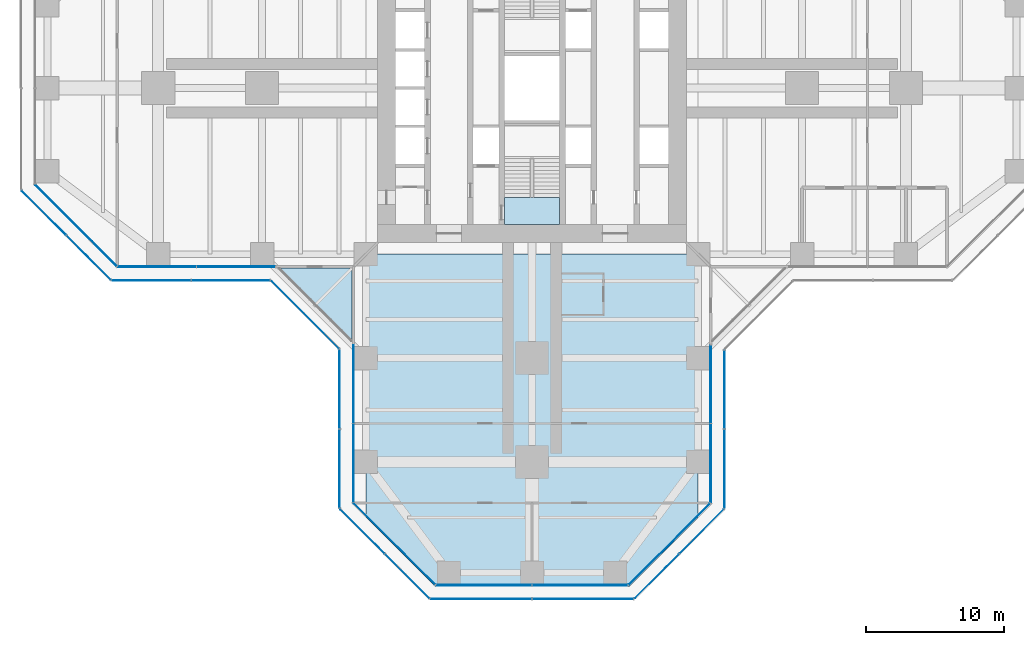
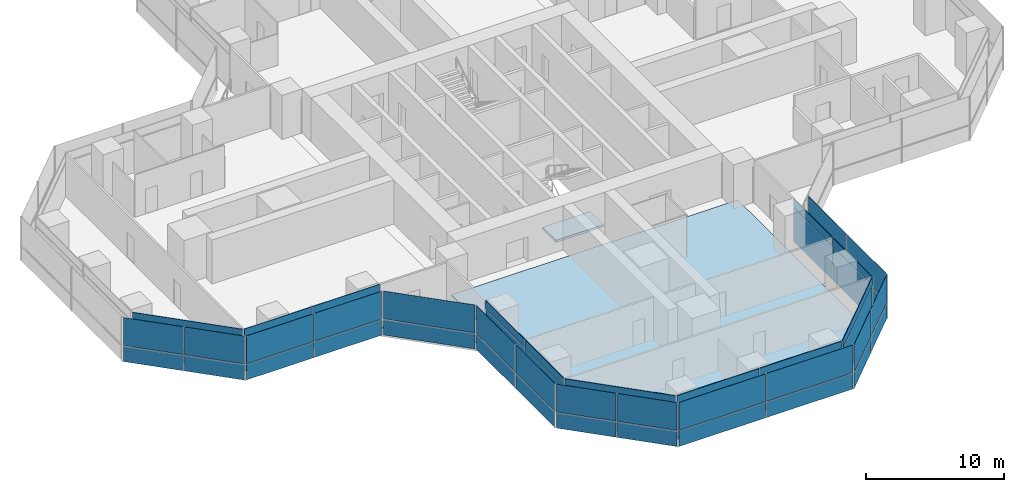
# One storey, part 14 of 22: 52 plates, 3 slabs, 16 elements without a shape of their own.
"""IFC4 building model written with IfcOpenShell, lengths in metres."""

from ifc_helpers import new_model, si_unit, direction, frame, origin, origin_2d, place, context, subcontext, project, spatial, polyline, rectangle, outline, extrude, material, layer, layer_set, type_object, element, aggregate, save


model = new_model("IFC4")

# Units and contexts
model_context = context("Model", 3, precision=1e-05, world=origin(), true_north=direction((0.0, 1.0)))
body_context = subcontext(model_context, "Body", "Model", "MODEL_VIEW")
ifc_project = project(units=[si_unit("LENGTHUNIT", "METRE"), si_unit("AREAUNIT", "SQUARE_METRE"), si_unit("VOLUMEUNIT", "CUBIC_METRE"), si_unit("PLANEANGLEUNIT", "RADIAN"), si_unit("MASSUNIT", "GRAM", prefix="KILO")], contexts=[model_context])

# Site, building, storey
site_placement = place(None, origin())
site = spatial("IfcSite", under=ifc_project, at=site_placement, CompositionType="ELEMENT")
building_placement = place(site_placement, origin())
building = spatial("IfcBuilding", under=site, at=building_placement, Name="Mizan Broadcast Tower", CompositionType="ELEMENT")
storey_placement = place(building_placement, frame((0.0, 0.0, 78.60009765625)))
storey = spatial("IfcBuildingStorey", under=building, at=storey_placement, Name="L16", CompositionType="ELEMENT", Elevation=78.60009765625)

# Slab
ifc_material_1 = material(Name="Concrete C32/40", Category="concrete")
ifc_layer_1 = layer(ifc_material_1, 0.1298828125)
ifc_layer_set_1 = layer_set([ifc_layer_1], Name="Concrete C32/40")
slab_type_1 = type_object("IfcSlabType", Name="COMPOSITE DECK SLAB 130", PredefinedType="FLOOR", material=ifc_layer_set_1)
slab_1_placement = place(storey_placement, frame((0.0, 0.0, -0.130126953125)))
element("IfcSlab", 1, at=slab_1_placement, inside=storey, type_object=slab_type_1, Name="Floor slab L16 south arm", PredefinedType="FLOOR", context=body_context, shape_type="SweptSolid", body=[
    extrude(outline(polyline([(7.0, -36.0), (12.0, -31.0), (12.0, -12.0), (-12.0, -12.0), (-12.0, -31.0), (-7.0, -36.0), (7.0, -36.0)])), origin(), (0.0, 0.0, 1.0), 0.130126953125),
])

# Curtain wall, plate
ifc_material_2 = material(Name="Aluminium framed glazing", Category="aluminium")
curtain_wall_type_1 = type_object("IfcCurtainWallType", Name="INNER SKIN LOW ZONE", PredefinedType="USERDEFINED", material=ifc_material_2)
curtain_wall_1_placement = place(storey_placement, origin())
curtain_wall_1 = element("IfcCurtainWall", 2, at=curtain_wall_1_placement, inside=storey, type_object=curtain_wall_type_1, Name="Inner skin low zone L16 W chamfer", ObjectType="INNER SKIN LOW ZONE", PredefinedType="USERDEFINED")
ifc_material_3 = material(Name="Double glazing, clear low-e", Category="glass")
ifc_layer_2 = layer(ifc_material_3, 0.028076171875)
ifc_layer_set_2 = layer_set([ifc_layer_2], Name="Double glazing, clear low-e")
plate_type_1 = type_object("IfcPlateType", Name="INNER SKIN GLAZING UNIT", PredefinedType="CURTAIN_PANEL", material=ifc_layer_set_2)
plate_1_placement = place(storey_placement, frame((-32.92919921875, -9.92919921875, 0.0), z_axis=(0.0, 0.0, 1.0), x_axis=(0.707106781187, -0.707106781187, 0.0)))
plate_1 = element("IfcPlate", 3, at=plate_1_placement, type_object=plate_type_1, Name="Inner skin low zone L16 W chamfer panel 1.1", PredefinedType="CURTAIN_PANEL", context=body_context, shape_type="SweptSolid", body=[
    extrude(rectangle(XDim=8.282470703125, YDim=0.028076171875, at=origin_2d()), origin(), (0.0, 0.0, 1.0), 3.0),
])

# Curtain wall, plates
curtain_wall_2_placement = place(storey_placement, origin())
curtain_wall_2 = element("IfcCurtainWall", 4, at=curtain_wall_2_placement, inside=storey, type_object=curtain_wall_type_1, Name="Inner skin low zone L16 W side", ObjectType="INNER SKIN LOW ZONE", PredefinedType="USERDEFINED")
plate_2_placement = place(storey_placement, frame((-27.078857421875, -12.89990234375, 0.0), z_axis=(0.0, 0.0, 1.0), x_axis=(1.0, 0.0, 0.0)))
plate_2 = element("IfcPlate", 5, at=plate_2_placement, type_object=plate_type_1, Name="Inner skin low zone L16 W side panel 1.1", PredefinedType="CURTAIN_PANEL", context=body_context, shape_type="SweptSolid", body=[
    extrude(rectangle(XDim=5.639404296875, YDim=0.028076171875, at=origin_2d()), origin(), (0.0, 0.0, 1.0), 3.0),
])
plate_3_placement = place(storey_placement, frame((-21.379638671875, -12.89990234375, 0.0), z_axis=(0.0, 0.0, 1.0), x_axis=(1.0, 0.0, 0.0)))
plate_3 = element("IfcPlate", 6, at=plate_3_placement, type_object=plate_type_1, Name="Inner skin low zone L16 W side panel 2.1", PredefinedType="CURTAIN_PANEL", context=body_context, shape_type="SweptSolid", body=[
    extrude(rectangle(XDim=5.639404296875, YDim=0.028076171875, at=origin_2d()), origin(), (0.0, 0.0, 1.0), 3.0),
])

curtain_wall_3_placement = place(storey_placement, origin())
curtain_wall_3 = element("IfcCurtainWall", 7, at=curtain_wall_3_placement, inside=storey, type_object=curtain_wall_type_1, Name="Inner skin low zone L16 S side", ObjectType="INNER SKIN LOW ZONE", PredefinedType="USERDEFINED")
plate_4_placement = place(storey_placement, frame((-12.89990234375, -21.379638671875, 0.0), z_axis=(0.0, 0.0, 1.0), x_axis=(0.0, -1.0, 0.0)))
plate_4 = element("IfcPlate", 8, at=plate_4_placement, type_object=plate_type_1, Name="Inner skin low zone L16 S side panel 1.1", PredefinedType="CURTAIN_PANEL", context=body_context, shape_type="SweptSolid", body=[
    extrude(rectangle(XDim=5.639404296875, YDim=0.028076171875, at=origin_2d()), origin(), (0.0, 0.0, 1.0), 3.0),
])
plate_5_placement = place(storey_placement, frame((-12.89990234375, -27.078857421875, 0.0), z_axis=(0.0, 0.0, 1.0), x_axis=(0.0, -1.0, 0.0)))
plate_5 = element("IfcPlate", 9, at=plate_5_placement, type_object=plate_type_1, Name="Inner skin low zone L16 S side panel 2.1", PredefinedType="CURTAIN_PANEL", context=body_context, shape_type="SweptSolid", body=[
    extrude(rectangle(XDim=5.639404296875, YDim=0.028076171875, at=origin_2d()), origin(), (0.0, 0.0, 1.0), 3.0),
])

# Curtain wall, plate
curtain_wall_4_placement = place(storey_placement, origin())
curtain_wall_4 = element("IfcCurtainWall", 10, at=curtain_wall_4_placement, inside=storey, type_object=curtain_wall_type_1, Name="Inner skin low zone L16 S chamfer", ObjectType="INNER SKIN LOW ZONE", PredefinedType="USERDEFINED")
plate_6_placement = place(storey_placement, frame((-9.92919921875, -32.92919921875, 0.0), z_axis=(0.0, 0.0, 1.0), x_axis=(0.707106781187, -0.707106781187, 0.0)))
plate_6 = element("IfcPlate", 11, at=plate_6_placement, type_object=plate_type_1, Name="Inner skin low zone L16 S chamfer panel 1.1", PredefinedType="CURTAIN_PANEL", context=body_context, shape_type="SweptSolid", body=[
    extrude(rectangle(XDim=8.282470703125, YDim=0.028076171875, at=origin_2d()), origin(), (0.0, 0.0, 1.0), 3.0),
])

# Curtain wall, plates
curtain_wall_5_placement = place(storey_placement, origin())
curtain_wall_5 = element("IfcCurtainWall", 12, at=curtain_wall_5_placement, inside=storey, type_object=curtain_wall_type_1, Name="Inner skin low zone L16 S end", ObjectType="INNER SKIN LOW ZONE", PredefinedType="USERDEFINED")
plate_7_placement = place(storey_placement, frame((-3.46435546875, -35.89990234375, 0.0), z_axis=(0.0, 0.0, 1.0), x_axis=(1.0, 0.0, 0.0)))
plate_7 = element("IfcPlate", 13, at=plate_7_placement, type_object=plate_type_1, Name="Inner skin low zone L16 S end panel 1.1", PredefinedType="CURTAIN_PANEL", context=body_context, shape_type="SweptSolid", body=[
    extrude(rectangle(XDim=6.86865234375, YDim=0.028076171875, at=origin_2d()), origin(), (0.0, 0.0, 1.0), 3.0),
])
plate_8_placement = place(storey_placement, frame((3.46435546875, -35.89990234375, 0.0), z_axis=(0.0, 0.0, 1.0), x_axis=(1.0, 0.0, 0.0)))
plate_8 = element("IfcPlate", 14, at=plate_8_placement, type_object=plate_type_1, Name="Inner skin low zone L16 S end panel 2.1", PredefinedType="CURTAIN_PANEL", context=body_context, shape_type="SweptSolid", body=[
    extrude(rectangle(XDim=6.86865234375, YDim=0.028076171875, at=origin_2d()), origin(), (0.0, 0.0, 1.0), 3.0),
])

# Curtain wall, plate
curtain_wall_6_placement = place(storey_placement, origin())
curtain_wall_6 = element("IfcCurtainWall", 15, at=curtain_wall_6_placement, inside=storey, type_object=curtain_wall_type_1, Name="Inner skin low zone L16 S chamfer", ObjectType="INNER SKIN LOW ZONE", PredefinedType="USERDEFINED")
plate_9_placement = place(storey_placement, frame((9.92919921875, -32.92919921875, 0.0), z_axis=(0.0, 0.0, 1.0), x_axis=(0.707106781187, 0.707106781187, 0.0)))
plate_9 = element("IfcPlate", 16, at=plate_9_placement, type_object=plate_type_1, Name="Inner skin low zone L16 S chamfer panel 1.1", PredefinedType="CURTAIN_PANEL", context=body_context, shape_type="SweptSolid", body=[
    extrude(rectangle(XDim=8.282470703125, YDim=0.028076171875, at=origin_2d()), origin(), (0.0, 0.0, 1.0), 3.0),
])

# Curtain wall, plates
curtain_wall_7_placement = place(storey_placement, origin())
curtain_wall_7 = element("IfcCurtainWall", 17, at=curtain_wall_7_placement, inside=storey, type_object=curtain_wall_type_1, Name="Inner skin low zone L16 S side", ObjectType="INNER SKIN LOW ZONE", PredefinedType="USERDEFINED")
plate_10_placement = place(storey_placement, frame((12.89990234375, -27.078857421875, 0.0), z_axis=(0.0, 0.0, 1.0), x_axis=(0.0, 1.0, 0.0)))
plate_10 = element("IfcPlate", 18, at=plate_10_placement, type_object=plate_type_1, Name="Inner skin low zone L16 S side panel 1.1", PredefinedType="CURTAIN_PANEL", context=body_context, shape_type="SweptSolid", body=[
    extrude(rectangle(XDim=5.639404296875, YDim=0.028076171875, at=origin_2d()), origin(), (0.0, 0.0, 1.0), 3.0),
])
plate_11_placement = place(storey_placement, frame((12.89990234375, -21.379638671875, 0.0), z_axis=(0.0, 0.0, 1.0), x_axis=(0.0, 1.0, 0.0)))
plate_11 = element("IfcPlate", 19, at=plate_11_placement, type_object=plate_type_1, Name="Inner skin low zone L16 S side panel 2.1", PredefinedType="CURTAIN_PANEL", context=body_context, shape_type="SweptSolid", body=[
    extrude(rectangle(XDim=5.639404296875, YDim=0.028076171875, at=origin_2d()), origin(), (0.0, 0.0, 1.0), 3.0),
])

# Plate
ifc_material_4 = material(Name="Insulated aluminium spandrel panel, pale anodised", Category="aluminium")
ifc_layer_3 = layer(ifc_material_4, 0.050048828125)
ifc_layer_set_3 = layer_set([ifc_layer_3], Name="Insulated aluminium spandrel panel, pale anodised")
plate_type_2 = type_object("IfcPlateType", Name="INNER SKIN SPANDREL PANEL", PredefinedType="CURTAIN_PANEL", material=ifc_layer_set_3)
plate_12_placement = place(storey_placement, frame((-32.92919921875, -9.92919921875, 3.059814453125), z_axis=(0.0, 0.0, 1.0), x_axis=(0.707106781187, -0.707106781187, 0.0)))
plate_12 = element("IfcPlate", 20, at=plate_12_placement, type_object=plate_type_2, Name="Inner skin low zone L16 W chamfer panel 1.2", PredefinedType="CURTAIN_PANEL", context=body_context, shape_type="SweptSolid", body=[
    extrude(rectangle(XDim=8.282470703125, YDim=0.050048828125, at=origin_2d()), origin(), (0.0, 0.0, 1.0), 0.7099609375),
])

aggregate(curtain_wall_1, [plate_1, plate_12])

plate_13_placement = place(storey_placement, frame((-27.078857421875, -12.89990234375, 3.059814453125), z_axis=(0.0, 0.0, 1.0), x_axis=(1.0, 0.0, 0.0)))
plate_13 = element("IfcPlate", 21, at=plate_13_placement, type_object=plate_type_2, Name="Inner skin low zone L16 W side panel 1.2", PredefinedType="CURTAIN_PANEL", context=body_context, shape_type="SweptSolid", body=[
    extrude(rectangle(XDim=5.639404296875, YDim=0.050048828125, at=origin_2d()), origin(), (0.0, 0.0, 1.0), 0.7099609375),
])

plate_14_placement = place(storey_placement, frame((-21.379638671875, -12.89990234375, 3.059814453125), z_axis=(0.0, 0.0, 1.0), x_axis=(1.0, 0.0, 0.0)))
plate_14 = element("IfcPlate", 22, at=plate_14_placement, type_object=plate_type_2, Name="Inner skin low zone L16 W side panel 2.2", PredefinedType="CURTAIN_PANEL", context=body_context, shape_type="SweptSolid", body=[
    extrude(rectangle(XDim=5.639404296875, YDim=0.050048828125, at=origin_2d()), origin(), (0.0, 0.0, 1.0), 0.7099609375),
])

aggregate(curtain_wall_2, [plate_2, plate_13, plate_3, plate_14])

plate_15_placement = place(storey_placement, frame((-12.89990234375, -21.379638671875, 3.059814453125), z_axis=(0.0, 0.0, 1.0), x_axis=(0.0, -1.0, 0.0)))
plate_15 = element("IfcPlate", 23, at=plate_15_placement, type_object=plate_type_2, Name="Inner skin low zone L16 S side panel 1.2", PredefinedType="CURTAIN_PANEL", context=body_context, shape_type="SweptSolid", body=[
    extrude(rectangle(XDim=5.639404296875, YDim=0.050048828125, at=origin_2d()), origin(), (0.0, 0.0, 1.0), 0.7099609375),
])

plate_16_placement = place(storey_placement, frame((-12.89990234375, -27.078857421875, 3.059814453125), z_axis=(0.0, 0.0, 1.0), x_axis=(0.0, -1.0, 0.0)))
plate_16 = element("IfcPlate", 24, at=plate_16_placement, type_object=plate_type_2, Name="Inner skin low zone L16 S side panel 2.2", PredefinedType="CURTAIN_PANEL", context=body_context, shape_type="SweptSolid", body=[
    extrude(rectangle(XDim=5.639404296875, YDim=0.050048828125, at=origin_2d()), origin(), (0.0, 0.0, 1.0), 0.7099609375),
])

aggregate(curtain_wall_3, [plate_4, plate_15, plate_5, plate_16])

plate_17_placement = place(storey_placement, frame((-9.92919921875, -32.92919921875, 3.059814453125), z_axis=(0.0, 0.0, 1.0), x_axis=(0.707106781187, -0.707106781187, 0.0)))
plate_17 = element("IfcPlate", 25, at=plate_17_placement, type_object=plate_type_2, Name="Inner skin low zone L16 S chamfer panel 1.2", PredefinedType="CURTAIN_PANEL", context=body_context, shape_type="SweptSolid", body=[
    extrude(rectangle(XDim=8.282470703125, YDim=0.050048828125, at=origin_2d()), origin(), (0.0, 0.0, 1.0), 0.7099609375),
])

aggregate(curtain_wall_4, [plate_6, plate_17])

plate_18_placement = place(storey_placement, frame((-3.46435546875, -35.89990234375, 3.059814453125), z_axis=(0.0, 0.0, 1.0), x_axis=(1.0, 0.0, 0.0)))
plate_18 = element("IfcPlate", 26, at=plate_18_placement, type_object=plate_type_2, Name="Inner skin low zone L16 S end panel 1.2", PredefinedType="CURTAIN_PANEL", context=body_context, shape_type="SweptSolid", body=[
    extrude(rectangle(XDim=6.86865234375, YDim=0.050048828125, at=origin_2d()), origin(), (0.0, 0.0, 1.0), 0.7099609375),
])

plate_19_placement = place(storey_placement, frame((3.46435546875, -35.89990234375, 3.059814453125), z_axis=(0.0, 0.0, 1.0), x_axis=(1.0, 0.0, 0.0)))
plate_19 = element("IfcPlate", 27, at=plate_19_placement, type_object=plate_type_2, Name="Inner skin low zone L16 S end panel 2.2", PredefinedType="CURTAIN_PANEL", context=body_context, shape_type="SweptSolid", body=[
    extrude(rectangle(XDim=6.86865234375, YDim=0.050048828125, at=origin_2d()), origin(), (0.0, 0.0, 1.0), 0.7099609375),
])

aggregate(curtain_wall_5, [plate_7, plate_18, plate_8, plate_19])

plate_20_placement = place(storey_placement, frame((9.92919921875, -32.92919921875, 3.059814453125), z_axis=(0.0, 0.0, 1.0), x_axis=(0.707106781187, 0.707106781187, 0.0)))
plate_20 = element("IfcPlate", 28, at=plate_20_placement, type_object=plate_type_2, Name="Inner skin low zone L16 S chamfer panel 1.2", PredefinedType="CURTAIN_PANEL", context=body_context, shape_type="SweptSolid", body=[
    extrude(rectangle(XDim=8.282470703125, YDim=0.050048828125, at=origin_2d()), origin(), (0.0, 0.0, 1.0), 0.7099609375),
])

aggregate(curtain_wall_6, [plate_9, plate_20])

plate_21_placement = place(storey_placement, frame((12.89990234375, -27.078857421875, 3.059814453125), z_axis=(0.0, 0.0, 1.0), x_axis=(0.0, 1.0, 0.0)))
plate_21 = element("IfcPlate", 29, at=plate_21_placement, type_object=plate_type_2, Name="Inner skin low zone L16 S side panel 1.2", PredefinedType="CURTAIN_PANEL", context=body_context, shape_type="SweptSolid", body=[
    extrude(rectangle(XDim=5.639404296875, YDim=0.050048828125, at=origin_2d()), origin(), (0.0, 0.0, 1.0), 0.7099609375),
])

plate_22_placement = place(storey_placement, frame((12.89990234375, -21.379638671875, 3.059814453125), z_axis=(0.0, 0.0, 1.0), x_axis=(0.0, 1.0, 0.0)))
plate_22 = element("IfcPlate", 30, at=plate_22_placement, type_object=plate_type_2, Name="Inner skin low zone L16 S side panel 2.2", PredefinedType="CURTAIN_PANEL", context=body_context, shape_type="SweptSolid", body=[
    extrude(rectangle(XDim=5.639404296875, YDim=0.050048828125, at=origin_2d()), origin(), (0.0, 0.0, 1.0), 0.7099609375),
])

aggregate(curtain_wall_7, [plate_10, plate_21, plate_11, plate_22])

# Curtain wall, plates
ifc_material_5 = material(Name="Aluminium framed glazing", Category="aluminium")
curtain_wall_type_2 = type_object("IfcCurtainWallType", Name="OUTER SKIN", PredefinedType="USERDEFINED", material=ifc_material_5)
curtain_wall_8_placement = place(storey_placement, origin())
curtain_wall_8 = element("IfcCurtainWall", 31, at=curtain_wall_8_placement, inside=storey, type_object=curtain_wall_type_2, Name="Outer skin L16 W chamfer", ObjectType="OUTER SKIN", PredefinedType="USERDEFINED")
ifc_material_6 = material(Name="Laminated clear glass", Category="glass")
ifc_layer_4 = layer(ifc_material_6, 0.02001953125)
ifc_layer_set_4 = layer_set([ifc_layer_4], Name="Laminated clear glass")
plate_type_3 = type_object("IfcPlateType", Name="OUTER SKIN CLEAR GLASS", PredefinedType="CURTAIN_PANEL", material=ifc_layer_set_4)
plate_23_placement = place(storey_placement, frame((-35.254150390625, -9.018798828125, -0.000244140625), z_axis=(0.0, 0.0, 1.0), x_axis=(0.707106781187, -0.707106781187, 0.0)))
plate_23 = element("IfcPlate", 32, at=plate_23_placement, type_object=plate_type_3, Name="Outer skin L16 W chamfer panel 1.1", PredefinedType="CURTAIN_PANEL", context=body_context, shape_type="SweptSolid", body=[
    extrude(rectangle(XDim=4.495361328125, YDim=0.02001953125, at=origin_2d()), origin(), (0.0, 0.0, 1.0), 1.3701171875),
])
plate_24_placement = place(storey_placement, frame((-35.254150390625, -9.018798828125, 1.4296875), z_axis=(0.0, 0.0, 1.0), x_axis=(0.707106781187, -0.707106781187, 0.0)))
plate_24 = element("IfcPlate", 33, at=plate_24_placement, type_object=plate_type_3, Name="Outer skin L16 W chamfer panel 1.2", PredefinedType="CURTAIN_PANEL", context=body_context, shape_type="SweptSolid", body=[
    extrude(rectangle(XDim=4.495361328125, YDim=0.02001953125, at=origin_2d()), origin(), (0.0, 0.0, 1.0), 2.469970703125),
])

curtain_wall_9_placement = place(storey_placement, origin())
curtain_wall_9 = element("IfcCurtainWall", 34, at=curtain_wall_9_placement, inside=storey, type_object=curtain_wall_type_2, Name="Outer skin L16 W side", ObjectType="OUTER SKIN", PredefinedType="USERDEFINED")
plate_25_placement = place(storey_placement, frame((-27.477783203125, -13.89990234375, -0.000244140625), z_axis=(0.0, 0.0, 1.0), x_axis=(1.0, 0.0, 0.0)))
plate_25 = element("IfcPlate", 35, at=plate_25_placement, type_object=plate_type_3, Name="Outer skin L16 W side panel 1.1", PredefinedType="CURTAIN_PANEL", context=body_context, shape_type="SweptSolid", body=[
    extrude(rectangle(XDim=5.6298828125, YDim=0.02001953125, at=origin_2d()), origin(), (0.0, 0.0, 1.0), 1.3701171875),
])
plate_26_placement = place(storey_placement, frame((-27.477783203125, -13.89990234375, 1.4296875), z_axis=(0.0, 0.0, 1.0), x_axis=(1.0, 0.0, 0.0)))
plate_26 = element("IfcPlate", 36, at=plate_26_placement, type_object=plate_type_3, Name="Outer skin L16 W side panel 1.2", PredefinedType="CURTAIN_PANEL", context=body_context, shape_type="SweptSolid", body=[
    extrude(rectangle(XDim=5.6298828125, YDim=0.02001953125, at=origin_2d()), origin(), (0.0, 0.0, 1.0), 2.469970703125),
])

curtain_wall_10_placement = place(storey_placement, origin())
curtain_wall_10 = element("IfcCurtainWall", 37, at=curtain_wall_10_placement, inside=storey, type_object=curtain_wall_type_2, Name="Outer skin L16 W chamfer", ObjectType="OUTER SKIN", PredefinedType="USERDEFINED")
plate_27_placement = place(storey_placement, frame((-16.386474609375, -16.386474609375, -0.000244140625), z_axis=(0.0, 0.0, 1.0), x_axis=(0.707106781187, -0.707106781187, 0.0)))
plate_27 = element("IfcPlate", 38, at=plate_27_placement, type_object=plate_type_3, Name="Outer skin L16 W chamfer panel 1.1", PredefinedType="CURTAIN_PANEL", context=body_context, shape_type="SweptSolid", body=[
    extrude(rectangle(XDim=6.87255859375, YDim=0.02001953125, at=origin_2d()), origin(), (0.0, 0.0, 1.0), 1.3701171875),
])
plate_28_placement = place(storey_placement, frame((-16.386474609375, -16.386474609375, 1.4296875), z_axis=(0.0, 0.0, 1.0), x_axis=(0.707106781187, -0.707106781187, 0.0)))
plate_28 = element("IfcPlate", 39, at=plate_28_placement, type_object=plate_type_3, Name="Outer skin L16 W chamfer panel 1.2", PredefinedType="CURTAIN_PANEL", context=body_context, shape_type="SweptSolid", body=[
    extrude(rectangle(XDim=6.87255859375, YDim=0.02001953125, at=origin_2d()), origin(), (0.0, 0.0, 1.0), 2.469970703125),
])
aggregate(curtain_wall_10, [plate_27, plate_28])

curtain_wall_11_placement = place(storey_placement, origin())
curtain_wall_11 = element("IfcCurtainWall", 40, at=curtain_wall_11_placement, inside=storey, type_object=curtain_wall_type_2, Name="Outer skin L16 S side", ObjectType="OUTER SKIN", PredefinedType="USERDEFINED")
plate_29_placement = place(storey_placement, frame((-13.89990234375, -21.767822265625, -0.000244140625), z_axis=(0.0, 0.0, 1.0), x_axis=(0.0, -1.0, 0.0)))
plate_29 = element("IfcPlate", 41, at=plate_29_placement, type_object=plate_type_3, Name="Outer skin L16 S side panel 1.1", PredefinedType="CURTAIN_PANEL", context=body_context, shape_type="SweptSolid", body=[
    extrude(rectangle(XDim=5.6298828125, YDim=0.02001953125, at=origin_2d()), origin(), (0.0, 0.0, 1.0), 1.3701171875),
])
plate_30_placement = place(storey_placement, frame((-13.89990234375, -21.767822265625, 1.4296875), z_axis=(0.0, 0.0, 1.0), x_axis=(0.0, -1.0, 0.0)))
plate_30 = element("IfcPlate", 42, at=plate_30_placement, type_object=plate_type_3, Name="Outer skin L16 S side panel 1.2", PredefinedType="CURTAIN_PANEL", context=body_context, shape_type="SweptSolid", body=[
    extrude(rectangle(XDim=5.6298828125, YDim=0.02001953125, at=origin_2d()), origin(), (0.0, 0.0, 1.0), 2.469970703125),
])

curtain_wall_12_placement = place(storey_placement, origin())
curtain_wall_12 = element("IfcCurtainWall", 43, at=curtain_wall_12_placement, inside=storey, type_object=curtain_wall_type_2, Name="Outer skin L16 S chamfer", ObjectType="OUTER SKIN", PredefinedType="USERDEFINED")
plate_31_placement = place(storey_placement, frame((-12.254150390625, -32.018798828125, -0.000244140625), z_axis=(0.0, 0.0, 1.0), x_axis=(0.707106781187, -0.707106781187, 0.0)))
plate_31 = element("IfcPlate", 44, at=plate_31_placement, type_object=plate_type_3, Name="Outer skin L16 S chamfer panel 1.1", PredefinedType="CURTAIN_PANEL", context=body_context, shape_type="SweptSolid", body=[
    extrude(rectangle(XDim=4.495361328125, YDim=0.02001953125, at=origin_2d()), origin(), (0.0, 0.0, 1.0), 1.3701171875),
])
plate_32_placement = place(storey_placement, frame((-12.254150390625, -32.018798828125, 1.4296875), z_axis=(0.0, 0.0, 1.0), x_axis=(0.707106781187, -0.707106781187, 0.0)))
plate_32 = element("IfcPlate", 45, at=plate_32_placement, type_object=plate_type_3, Name="Outer skin L16 S chamfer panel 1.2", PredefinedType="CURTAIN_PANEL", context=body_context, shape_type="SweptSolid", body=[
    extrude(rectangle(XDim=4.495361328125, YDim=0.02001953125, at=origin_2d()), origin(), (0.0, 0.0, 1.0), 2.469970703125),
])

curtain_wall_13_placement = place(storey_placement, origin())
curtain_wall_13 = element("IfcCurtainWall", 46, at=curtain_wall_13_placement, inside=storey, type_object=curtain_wall_type_2, Name="Outer skin L16 S end", ObjectType="OUTER SKIN", PredefinedType="USERDEFINED")
plate_33_placement = place(storey_placement, frame((-3.66650390625, -36.89990234375, -0.000244140625), z_axis=(0.0, 0.0, 1.0), x_axis=(1.0, 0.0, 0.0)))
plate_33 = element("IfcPlate", 47, at=plate_33_placement, type_object=plate_type_3, Name="Outer skin L16 S end panel 1.1", PredefinedType="CURTAIN_PANEL", context=body_context, shape_type="SweptSolid", body=[
    extrude(rectangle(XDim=7.252685546875, YDim=0.02001953125, at=origin_2d()), origin(), (0.0, 0.0, 1.0), 1.3701171875),
])
plate_34_placement = place(storey_placement, frame((-3.66650390625, -36.89990234375, 1.4296875), z_axis=(0.0, 0.0, 1.0), x_axis=(1.0, 0.0, 0.0)))
plate_34 = element("IfcPlate", 48, at=plate_34_placement, type_object=plate_type_3, Name="Outer skin L16 S end panel 1.2", PredefinedType="CURTAIN_PANEL", context=body_context, shape_type="SweptSolid", body=[
    extrude(rectangle(XDim=7.252685546875, YDim=0.02001953125, at=origin_2d()), origin(), (0.0, 0.0, 1.0), 2.469970703125),
])

curtain_wall_14_placement = place(storey_placement, origin())
curtain_wall_14 = element("IfcCurtainWall", 49, at=curtain_wall_14_placement, inside=storey, type_object=curtain_wall_type_2, Name="Outer skin L16 S chamfer", ObjectType="OUTER SKIN", PredefinedType="USERDEFINED")
plate_35_placement = place(storey_placement, frame((9.018798828125, -35.254150390625, -0.000244140625), z_axis=(0.0, 0.0, 1.0), x_axis=(0.707106781187, 0.707106781187, 0.0)))
plate_35 = element("IfcPlate", 50, at=plate_35_placement, type_object=plate_type_3, Name="Outer skin L16 S chamfer panel 1.1", PredefinedType="CURTAIN_PANEL", context=body_context, shape_type="SweptSolid", body=[
    extrude(rectangle(XDim=4.495361328125, YDim=0.02001953125, at=origin_2d()), origin(), (0.0, 0.0, 1.0), 1.3701171875),
])
plate_36_placement = place(storey_placement, frame((9.018798828125, -35.254150390625, 1.4296875), z_axis=(0.0, 0.0, 1.0), x_axis=(0.707106781187, 0.707106781187, 0.0)))
plate_36 = element("IfcPlate", 51, at=plate_36_placement, type_object=plate_type_3, Name="Outer skin L16 S chamfer panel 1.2", PredefinedType="CURTAIN_PANEL", context=body_context, shape_type="SweptSolid", body=[
    extrude(rectangle(XDim=4.495361328125, YDim=0.02001953125, at=origin_2d()), origin(), (0.0, 0.0, 1.0), 2.469970703125),
])

curtain_wall_15_placement = place(storey_placement, origin())
curtain_wall_15 = element("IfcCurtainWall", 52, at=curtain_wall_15_placement, inside=storey, type_object=curtain_wall_type_2, Name="Outer skin L16 S side", ObjectType="OUTER SKIN", PredefinedType="USERDEFINED")
plate_37_placement = place(storey_placement, frame((13.89990234375, -27.477783203125, -0.000244140625), z_axis=(0.0, 0.0, 1.0), x_axis=(0.0, 1.0, 0.0)))
plate_37 = element("IfcPlate", 53, at=plate_37_placement, type_object=plate_type_3, Name="Outer skin L16 S side panel 1.1", PredefinedType="CURTAIN_PANEL", context=body_context, shape_type="SweptSolid", body=[
    extrude(rectangle(XDim=5.6298828125, YDim=0.02001953125, at=origin_2d()), origin(), (0.0, 0.0, 1.0), 1.3701171875),
])
plate_38_placement = place(storey_placement, frame((13.89990234375, -27.477783203125, 1.4296875), z_axis=(0.0, 0.0, 1.0), x_axis=(0.0, 1.0, 0.0)))
plate_38 = element("IfcPlate", 54, at=plate_38_placement, type_object=plate_type_3, Name="Outer skin L16 S side panel 1.2", PredefinedType="CURTAIN_PANEL", context=body_context, shape_type="SweptSolid", body=[
    extrude(rectangle(XDim=5.6298828125, YDim=0.02001953125, at=origin_2d()), origin(), (0.0, 0.0, 1.0), 2.469970703125),
])

# Plate
ifc_material_7 = material(Name="Perforated aluminium, pale anodised", Category="aluminium")
ifc_layer_5 = layer(ifc_material_7, 0.011962890625)
ifc_layer_set_5 = layer_set([ifc_layer_5], Name="Perforated aluminium, pale anodised")
plate_type_4 = type_object("IfcPlateType", Name="OUTER SKIN PERFORATED SCREEN", PredefinedType="USERDEFINED", material=ifc_layer_set_5)
plate_39_placement = place(storey_placement, frame((-32.018798828125, -12.254150390625, -0.000244140625), z_axis=(0.0, 0.0, 1.0), x_axis=(0.707106781187, -0.707106781187, 0.0)))
plate_39 = element("IfcPlate", 55, at=plate_39_placement, type_object=plate_type_4, Name="Outer skin L16 W chamfer panel 2.1", ObjectType="SCREEN", PredefinedType="USERDEFINED", context=body_context, shape_type="SweptSolid", body=[
    extrude(rectangle(XDim=4.495361328125, YDim=0.011962890625, at=origin_2d()), origin(), (0.0, 0.0, 1.0), 1.3701171875),
])

plate_40_placement = place(storey_placement, frame((-32.018798828125, -12.254150390625, 1.4296875), z_axis=(0.0, 0.0, 1.0), x_axis=(0.707106781187, -0.707106781187, 0.0)))
plate_40 = element("IfcPlate", 56, at=plate_40_placement, type_object=plate_type_4, Name="Outer skin L16 W chamfer panel 2.2", ObjectType="SCREEN", PredefinedType="USERDEFINED", context=body_context, shape_type="SweptSolid", body=[
    extrude(rectangle(XDim=4.495361328125, YDim=0.011962890625, at=origin_2d()), origin(), (0.0, 0.0, 1.0), 2.469970703125),
])

aggregate(curtain_wall_8, [plate_23, plate_24, plate_39, plate_40])

plate_41_placement = place(storey_placement, frame((-21.767822265625, -13.89990234375, -0.000244140625), z_axis=(0.0, 0.0, 1.0), x_axis=(1.0, 0.0, 0.0)))
plate_41 = element("IfcPlate", 57, at=plate_41_placement, type_object=plate_type_4, Name="Outer skin L16 W side panel 2.1", ObjectType="SCREEN", PredefinedType="USERDEFINED", context=body_context, shape_type="SweptSolid", body=[
    extrude(rectangle(XDim=5.6298828125, YDim=0.011962890625, at=origin_2d()), origin(), (0.0, 0.0, 1.0), 1.3701171875),
])

plate_42_placement = place(storey_placement, frame((-21.767822265625, -13.89990234375, 1.4296875), z_axis=(0.0, 0.0, 1.0), x_axis=(1.0, 0.0, 0.0)))
plate_42 = element("IfcPlate", 58, at=plate_42_placement, type_object=plate_type_4, Name="Outer skin L16 W side panel 2.2", ObjectType="SCREEN", PredefinedType="USERDEFINED", context=body_context, shape_type="SweptSolid", body=[
    extrude(rectangle(XDim=5.6298828125, YDim=0.011962890625, at=origin_2d()), origin(), (0.0, 0.0, 1.0), 2.469970703125),
])

aggregate(curtain_wall_9, [plate_25, plate_26, plate_41, plate_42])

plate_43_placement = place(storey_placement, frame((-13.89990234375, -27.477783203125, -0.000244140625), z_axis=(0.0, 0.0, 1.0), x_axis=(0.0, -1.0, 0.0)))
plate_43 = element("IfcPlate", 59, at=plate_43_placement, type_object=plate_type_4, Name="Outer skin L16 S side panel 2.1", ObjectType="SCREEN", PredefinedType="USERDEFINED", context=body_context, shape_type="SweptSolid", body=[
    extrude(rectangle(XDim=5.6298828125, YDim=0.011962890625, at=origin_2d()), origin(), (0.0, 0.0, 1.0), 1.3701171875),
])

plate_44_placement = place(storey_placement, frame((-13.89990234375, -27.477783203125, 1.4296875), z_axis=(0.0, 0.0, 1.0), x_axis=(0.0, -1.0, 0.0)))
plate_44 = element("IfcPlate", 60, at=plate_44_placement, type_object=plate_type_4, Name="Outer skin L16 S side panel 2.2", ObjectType="SCREEN", PredefinedType="USERDEFINED", context=body_context, shape_type="SweptSolid", body=[
    extrude(rectangle(XDim=5.6298828125, YDim=0.011962890625, at=origin_2d()), origin(), (0.0, 0.0, 1.0), 2.469970703125),
])

aggregate(curtain_wall_11, [plate_29, plate_30, plate_43, plate_44])

plate_45_placement = place(storey_placement, frame((-9.018798828125, -35.254150390625, -0.000244140625), z_axis=(0.0, 0.0, 1.0), x_axis=(0.707106781187, -0.707106781187, 0.0)))
plate_45 = element("IfcPlate", 61, at=plate_45_placement, type_object=plate_type_4, Name="Outer skin L16 S chamfer panel 2.1", ObjectType="SCREEN", PredefinedType="USERDEFINED", context=body_context, shape_type="SweptSolid", body=[
    extrude(rectangle(XDim=4.495361328125, YDim=0.011962890625, at=origin_2d()), origin(), (0.0, 0.0, 1.0), 1.3701171875),
])

plate_46_placement = place(storey_placement, frame((-9.018798828125, -35.254150390625, 1.4296875), z_axis=(0.0, 0.0, 1.0), x_axis=(0.707106781187, -0.707106781187, 0.0)))
plate_46 = element("IfcPlate", 62, at=plate_46_placement, type_object=plate_type_4, Name="Outer skin L16 S chamfer panel 2.2", ObjectType="SCREEN", PredefinedType="USERDEFINED", context=body_context, shape_type="SweptSolid", body=[
    extrude(rectangle(XDim=4.495361328125, YDim=0.011962890625, at=origin_2d()), origin(), (0.0, 0.0, 1.0), 2.469970703125),
])

aggregate(curtain_wall_12, [plate_31, plate_32, plate_45, plate_46])

plate_47_placement = place(storey_placement, frame((3.66650390625, -36.89990234375, -0.000244140625), z_axis=(0.0, 0.0, 1.0), x_axis=(1.0, 0.0, 0.0)))
plate_47 = element("IfcPlate", 63, at=plate_47_placement, type_object=plate_type_4, Name="Outer skin L16 S end panel 2.1", ObjectType="SCREEN", PredefinedType="USERDEFINED", context=body_context, shape_type="SweptSolid", body=[
    extrude(rectangle(XDim=7.252685546875, YDim=0.011962890625, at=origin_2d()), origin(), (0.0, 0.0, 1.0), 1.3701171875),
])

plate_48_placement = place(storey_placement, frame((3.66650390625, -36.89990234375, 1.4296875), z_axis=(0.0, 0.0, 1.0), x_axis=(1.0, 0.0, 0.0)))
plate_48 = element("IfcPlate", 64, at=plate_48_placement, type_object=plate_type_4, Name="Outer skin L16 S end panel 2.2", ObjectType="SCREEN", PredefinedType="USERDEFINED", context=body_context, shape_type="SweptSolid", body=[
    extrude(rectangle(XDim=7.252685546875, YDim=0.011962890625, at=origin_2d()), origin(), (0.0, 0.0, 1.0), 2.469970703125),
])

aggregate(curtain_wall_13, [plate_33, plate_34, plate_47, plate_48])

plate_49_placement = place(storey_placement, frame((12.254150390625, -32.018798828125, -0.000244140625), z_axis=(0.0, 0.0, 1.0), x_axis=(0.707106781187, 0.707106781187, 0.0)))
plate_49 = element("IfcPlate", 65, at=plate_49_placement, type_object=plate_type_4, Name="Outer skin L16 S chamfer panel 2.1", ObjectType="SCREEN", PredefinedType="USERDEFINED", context=body_context, shape_type="SweptSolid", body=[
    extrude(rectangle(XDim=4.495361328125, YDim=0.011962890625, at=origin_2d()), origin(), (0.0, 0.0, 1.0), 1.3701171875),
])

plate_50_placement = place(storey_placement, frame((12.254150390625, -32.018798828125, 1.4296875), z_axis=(0.0, 0.0, 1.0), x_axis=(0.707106781187, 0.707106781187, 0.0)))
plate_50 = element("IfcPlate", 66, at=plate_50_placement, type_object=plate_type_4, Name="Outer skin L16 S chamfer panel 2.2", ObjectType="SCREEN", PredefinedType="USERDEFINED", context=body_context, shape_type="SweptSolid", body=[
    extrude(rectangle(XDim=4.495361328125, YDim=0.011962890625, at=origin_2d()), origin(), (0.0, 0.0, 1.0), 2.469970703125),
])

aggregate(curtain_wall_14, [plate_35, plate_36, plate_49, plate_50])

plate_51_placement = place(storey_placement, frame((13.89990234375, -21.767822265625, -0.000244140625), z_axis=(0.0, 0.0, 1.0), x_axis=(0.0, 1.0, 0.0)))
plate_51 = element("IfcPlate", 67, at=plate_51_placement, type_object=plate_type_4, Name="Outer skin L16 S side panel 2.1", ObjectType="SCREEN", PredefinedType="USERDEFINED", context=body_context, shape_type="SweptSolid", body=[
    extrude(rectangle(XDim=5.6298828125, YDim=0.011962890625, at=origin_2d()), origin(), (0.0, 0.0, 1.0), 1.3701171875),
])

plate_52_placement = place(storey_placement, frame((13.89990234375, -21.767822265625, 1.4296875), z_axis=(0.0, 0.0, 1.0), x_axis=(0.0, 1.0, 0.0)))
plate_52 = element("IfcPlate", 68, at=plate_52_placement, type_object=plate_type_4, Name="Outer skin L16 S side panel 2.2", ObjectType="SCREEN", PredefinedType="USERDEFINED", context=body_context, shape_type="SweptSolid", body=[
    extrude(rectangle(XDim=5.6298828125, YDim=0.011962890625, at=origin_2d()), origin(), (0.0, 0.0, 1.0), 2.469970703125),
])

aggregate(curtain_wall_15, [plate_37, plate_38, plate_51, plate_52])

# Stair, slab
ifc_material_8 = material(Name="Concrete C40/50", Category="concrete")
stair_type = type_object("IfcStairType", Name="EXIT STAIR", PredefinedType="HALF_TURN_STAIR", material=ifc_material_8)
stair_placement = place(storey_placement, origin())
stair = element("IfcStair", 69, at=stair_placement, inside=storey, type_object=stair_type, Name="Stair A L16", PredefinedType="HALF_TURN_STAIR")
ifc_material_9 = material(Name="Concrete C40/50", Category="concrete")
ifc_layer_6 = layer(ifc_material_9, 0.199951171875)
ifc_layer_set_6 = layer_set([ifc_layer_6], Name="Concrete C40/50")
slab_type_2 = type_object("IfcSlabType", Name="STAIR LANDING 200", PredefinedType="LANDING", material=ifc_layer_set_6)
slab_2_placement = place(storey_placement, frame((0.0, 0.0, -0.2001953125)))
slab_2 = element("IfcSlab", 70, at=slab_2_placement, type_object=slab_type_2, Name="A landing 1", PredefinedType="LANDING", context=body_context, shape_type="SweptSolid", body=[
    extrude(outline(polyline([(-2.0, -9.85009765625), (-2.0, -7.89990234375), (2.0, -7.89990234375), (2.0, -9.85009765625), (-2.0, -9.85009765625)])), origin(), (0.0, 0.0, 1.0), 0.2001953125),
])
aggregate(stair, [slab_2])

# Slab
ifc_material_10 = material(Name="Concrete C32/40", Category="concrete")
ifc_layer_7 = layer(ifc_material_10, 0.1298828125)
ifc_layer_set_7 = layer_set([ifc_layer_7], Name="Concrete C32/40")
slab_type_3 = type_object("IfcSlabType", Name="WINTER GARDEN SLAB 130", PredefinedType="FLOOR", material=ifc_layer_set_7)
slab_3_placement = place(storey_placement, frame((0.0, 0.0, -0.130126953125)))
element("IfcSlab", 71, at=slab_3_placement, inside=storey, type_object=slab_type_3, Name="Winter garden slab L16 W", PredefinedType="FLOOR", context=body_context, shape_type="SweptSolid", body=[
    extrude(outline(polyline([(-13.0, -13.0), (-18.5, -13.0), (-13.0, -18.5), (-13.0, -13.0)])), origin(), (0.0, 0.0, 1.0), 0.130126953125),
])

save(model, "model.ifc")
